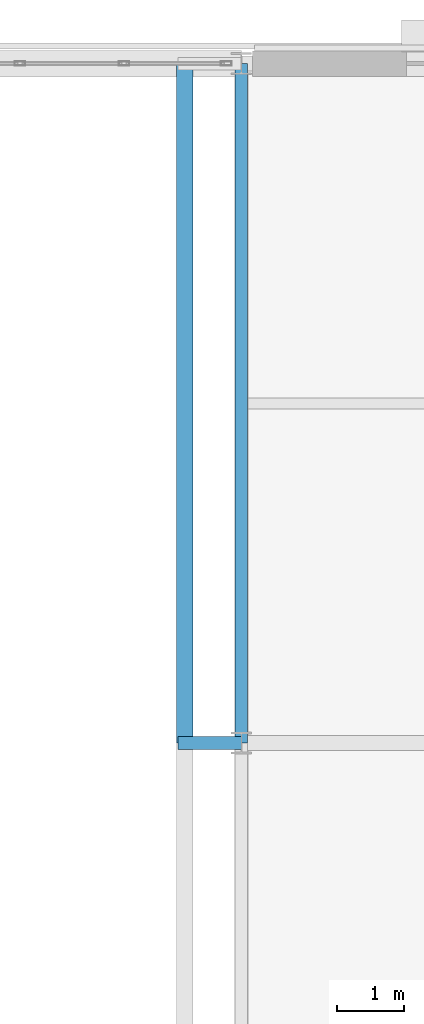
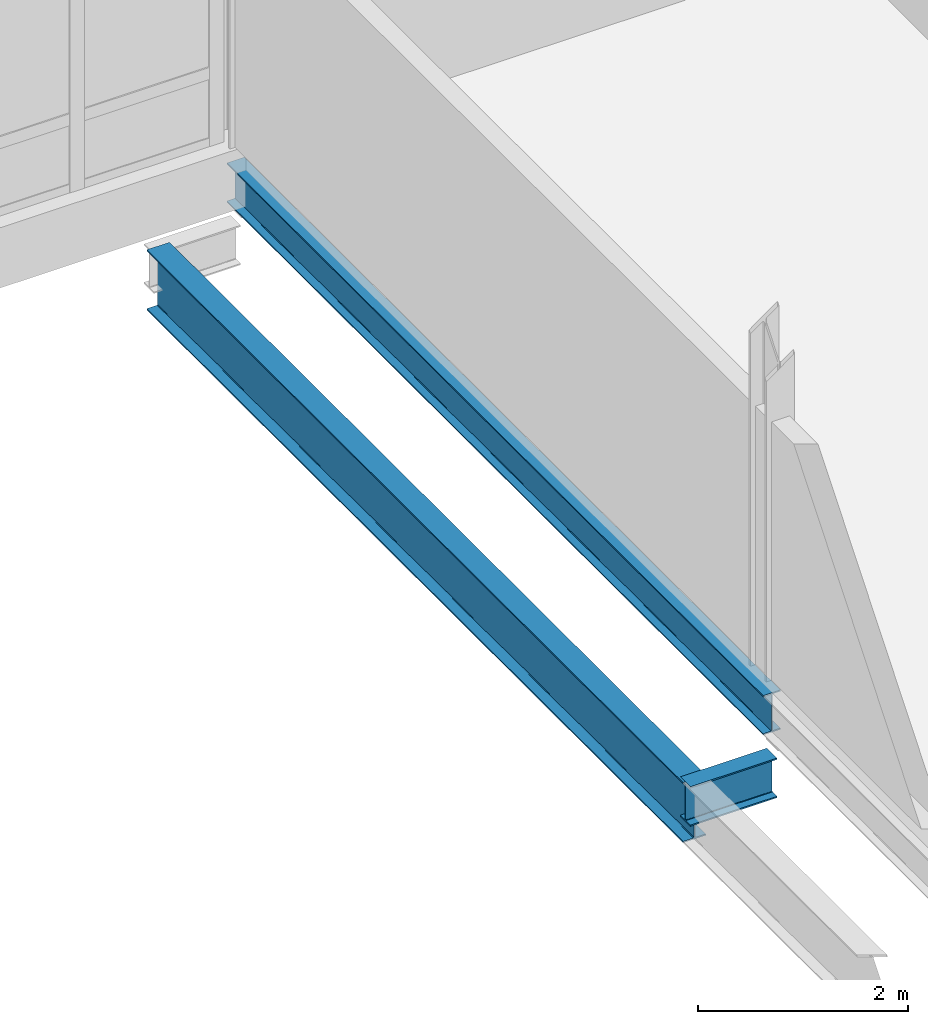
# One storey, part 58 of 170: 3 beams.
"""IFC4 building model written with IfcOpenShell, lengths in metres."""

from ifc_helpers import new_model, si_unit, direction, frame, origin, origin_2d, place, context, subcontext, project, spatial, i_section, extrude, material, material_profile, profile_set, type_object, element, save


model = new_model("IFC4")

# Units and contexts
model_context = context("Model", 3, precision=1e-05, world=origin(), true_north=direction((0.0, 1.0)))
body_context = subcontext(model_context, "Body", "Model", "MODEL_VIEW")
ifc_project = project(units=[si_unit("LENGTHUNIT", "METRE"), si_unit("AREAUNIT", "SQUARE_METRE"), si_unit("VOLUMEUNIT", "CUBIC_METRE"), si_unit("PLANEANGLEUNIT", "RADIAN"), si_unit("MASSUNIT", "GRAM", prefix="KILO")], contexts=[model_context])

# Site, building, storey
site_placement = place(None, origin())
site = spatial("IfcSite", under=ifc_project, at=site_placement, CompositionType="ELEMENT")
building_placement = place(site_placement, origin())
building = spatial("IfcBuilding", under=site, at=building_placement, Name="Vondelvale Polytechnic", CompositionType="ELEMENT")
storey_placement = place(building_placement, frame((0.0, 0.0, 5.39990234375)))
storey = spatial("IfcBuildingStorey", under=building, at=storey_placement, Name="L01", CompositionType="ELEMENT", Elevation=5.39990234375)

# Beams
ifc_material = material(Name="Steel 300PLUS (fy = 300 MPa)", Category="steel")
ifc_material_profile_1 = material_profile(ifc_material, i_section(OverallWidth=0.18994140625, OverallDepth=0.45703125, WebThickness=0.009033203125, FlangeThickness=0.014404296875, FilletRadius=0.011474609375, at=origin_2d()), Name="460UB74.6")
ifc_profile_set_1 = profile_set([ifc_material_profile_1], Name="Steel 300PLUS (fy = 300 MPa)")
beam_type_1 = type_object("IfcBeamType", Name="BM-UB460", PredefinedType="BEAM", material=ifc_profile_set_1)
beam_1_placement = place(storey_placement, frame((28.800048828125, 112.199951171875, -0.50830078125), z_axis=(0.0, 1.0, 0.0), x_axis=(-1.0, 0.0, 0.0)))
element("IfcBeam", 1, at=beam_1_placement, inside=storey, type_object=beam_type_1, Name="L01 B B-13", PredefinedType="BEAM", context=body_context, shape_type="SweptSolid", body=[
    extrude(i_section(OverallWidth=0.18994140625, OverallDepth=0.45703125, WebThickness=0.009033203125, FlangeThickness=0.014404296875, FilletRadius=0.011474609375, at=origin_2d()), origin(), (0.0, 0.0, 1.0), 10.199951171875),
])
ifc_material_profile_2 = material_profile(ifc_material, i_section(OverallWidth=0.19091796875, OverallDepth=0.4599609375, WebThickness=0.010009765625, FlangeThickness=0.01611328125, FilletRadius=0.011474609375, at=origin_2d()), Name="460UB82.1")
ifc_profile_set_2 = profile_set([ifc_material_profile_2], Name="Steel 300PLUS (fy = 300 MPa)")
beam_type_2 = type_object("IfcBeamType", Name="BM-UB460H", PredefinedType="BEAM", material=ifc_profile_set_2)
beam_2_placement = place(storey_placement, frame((27.85009765625, 112.199951171875, -1.2099609375), z_axis=(1.0, 0.0, 0.0), x_axis=(0.0, 1.0, 0.0)))
element("IfcBeam", 2, at=beam_2_placement, inside=storey, type_object=beam_type_2, Name="L01 CRB B-12", PredefinedType="BEAM", context=body_context, shape_type="SweptSolid", body=[
    extrude(i_section(OverallWidth=0.19091796875, OverallDepth=0.4599609375, WebThickness=0.010009765625, FlangeThickness=0.01611328125, FilletRadius=0.011474609375, at=origin_2d()), origin(), (0.0, 0.0, 1.0), 0.949951171875),
])
ifc_material_profile_3 = material_profile(ifc_material, i_section(OverallWidth=0.25, OverallDepth=0.699951171875, WebThickness=0.010009765625, FlangeThickness=0.01611328125, FilletRadius=0.011962890625, at=origin_2d()), Name="700WB130")
ifc_profile_set_3 = profile_set([ifc_material_profile_3], Name="Steel 300PLUS (fy = 300 MPa)")
beam_type_3 = type_object("IfcBeamType", Name="BM-WB700", PredefinedType="BEAM", material=ifc_profile_set_3)
beam_3_placement = place(storey_placement, frame((27.949951171875, 112.199951171875, -1.329833984375), z_axis=(0.0, 1.0, 0.0), x_axis=(-1.0, 0.0, 0.0)))
element("IfcBeam", 3, at=beam_3_placement, inside=storey, type_object=beam_type_3, Name="L01 CRN B-08", PredefinedType="BEAM", context=body_context, shape_type="SweptSolid", body=[
    extrude(i_section(OverallWidth=0.25, OverallDepth=0.699951171875, WebThickness=0.010009765625, FlangeThickness=0.01611328125, FilletRadius=0.011962890625, at=origin_2d()), origin(), (0.0, 0.0, 1.0), 10.199951171875),
])

save(model, "model.ifc")
